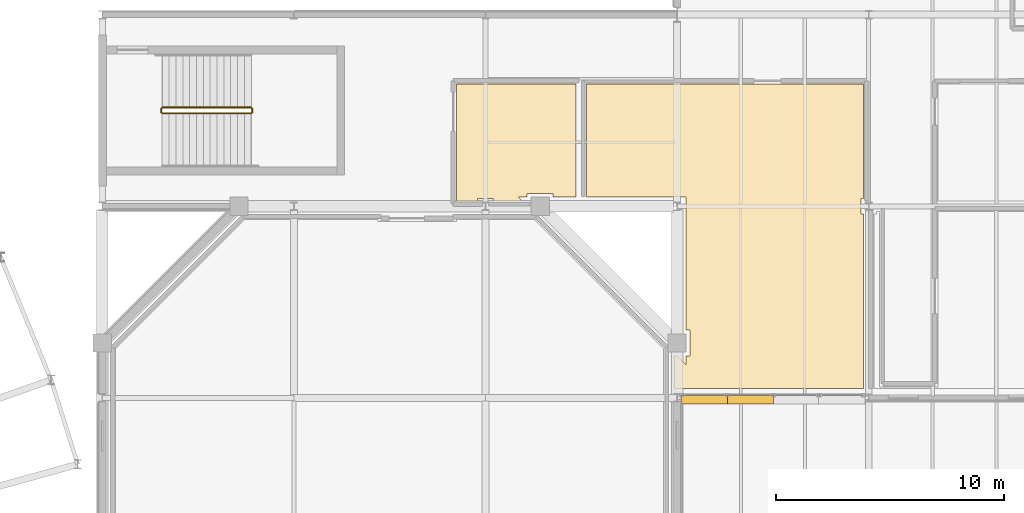
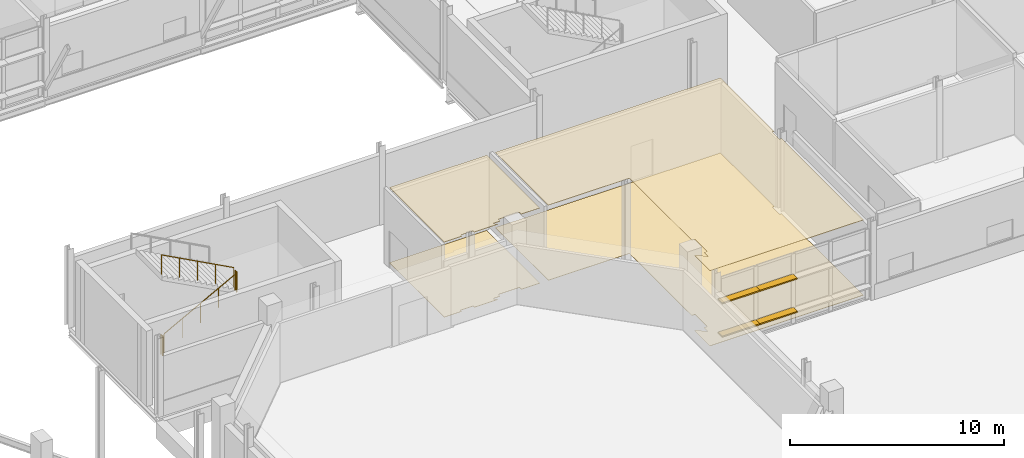
# One storey, part 108 of 129: 4 coverings, 4 railings, 4 shading devices.
"""IFC4 building model written with IfcOpenShell, lengths in metres."""

from ifc_helpers import new_model, si_unit, direction, frame, origin, origin_2d, place, context, subcontext, project, spatial, polyline, rectangle, circle, outline, extrude, material, layer, layer_set, type_object, element, save


model = new_model("IFC4")

# Units and contexts
model_context = context("Model", 3, precision=1e-05, world=origin(), true_north=direction((0.0, 1.0)))
body_context = subcontext(model_context, "Body", "Model", "MODEL_VIEW")
ifc_project = project(units=[si_unit("LENGTHUNIT", "METRE"), si_unit("AREAUNIT", "SQUARE_METRE"), si_unit("VOLUMEUNIT", "CUBIC_METRE"), si_unit("PLANEANGLEUNIT", "RADIAN"), si_unit("MASSUNIT", "GRAM", prefix="KILO")], contexts=[model_context])

# Site, building, storey
site_placement = place(None, origin())
site = spatial("IfcSite", under=ifc_project, at=site_placement, CompositionType="ELEMENT")
building_placement = place(site_placement, origin())
building = spatial("IfcBuilding", under=site, at=building_placement, Name="Mersafa Astral City Hall", CompositionType="ELEMENT")
storey_placement = place(building_placement, frame((0.0, 0.0, 5.39990234375)))
storey = spatial("IfcBuildingStorey", under=building, at=storey_placement, Name="L01", CompositionType="ELEMENT", Elevation=5.39990234375)

# Shading devices
ifc_material_1 = material(Name="Kiln-dried cedar timber brise-soleil blade", Category="wood")
shading_device_type = type_object("IfcShadingDeviceType", Name="ENV-SHD-LOUVRE-380", PredefinedType="JALOUSIE", material=ifc_material_1)
shading_device_1_placement = place(storey_placement, frame((93.58642578125, 16.719970703125, 0.81494140625), z_axis=(0.0, 0.0, 1.0), x_axis=(1.0, 0.0, 0.0)))
element("IfcShadingDevice", 1, at=shading_device_1_placement, inside=storey, type_object=shading_device_type, Name="L01 Horizontal cedar brise-soleil louvre 293", PredefinedType="JALOUSIE", context=body_context, shape_type="SweptSolid", body=[
    extrude(rectangle(XDim=2.029052734375, YDim=0.3798828125, at=origin_2d()), origin(), (0.0, 0.0, 1.0), 0.070068359375),
])
shading_device_2_placement = place(storey_placement, frame((95.590576171875, 16.719970703125, 0.81494140625), z_axis=(0.0, 0.0, 1.0), x_axis=(1.0, 0.0, 0.0)))
element("IfcShadingDevice", 2, at=shading_device_2_placement, inside=storey, type_object=shading_device_type, Name="L01 Horizontal cedar brise-soleil louvre 294", PredefinedType="JALOUSIE", context=body_context, shape_type="SweptSolid", body=[
    extrude(rectangle(XDim=2.05908203125, YDim=0.3798828125, at=origin_2d()), origin(), (0.0, 0.0, 1.0), 0.070068359375),
])
shading_device_3_placement = place(storey_placement, frame((93.58642578125, 16.719970703125, 2.71484375), z_axis=(0.0, 0.0, 1.0), x_axis=(1.0, 0.0, 0.0)))
element("IfcShadingDevice", 3, at=shading_device_3_placement, inside=storey, type_object=shading_device_type, Name="L01 Horizontal cedar brise-soleil louvre 297", PredefinedType="JALOUSIE", context=body_context, shape_type="SweptSolid", body=[
    extrude(rectangle(XDim=2.029052734375, YDim=0.3798828125, at=origin_2d()), origin(), (0.0, 0.0, 1.0), 0.070068359375),
])
shading_device_4_placement = place(storey_placement, frame((95.590576171875, 16.719970703125, 2.71484375), z_axis=(0.0, 0.0, 1.0), x_axis=(1.0, 0.0, 0.0)))
element("IfcShadingDevice", 4, at=shading_device_4_placement, inside=storey, type_object=shading_device_type, Name="L01 Horizontal cedar brise-soleil louvre 298", PredefinedType="JALOUSIE", context=body_context, shape_type="SweptSolid", body=[
    extrude(rectangle(XDim=2.05908203125, YDim=0.3798828125, at=origin_2d()), origin(), (0.0, 0.0, 1.0), 0.070068359375),
])

# Railings
ifc_material_2 = material(Name="Painted architectural steel stair guard balustrade", Category="steel")
railing_type = type_object("IfcRailingType", Name="GUARD-RAIL", PredefinedType="BALUSTRADE", material=ifc_material_2)
railing_1_placement = place(storey_placement, frame((69.830078125, 29.27001953125, 0.160888671875)))
element("IfcRailing", 5, at=railing_1_placement, inside=storey, type_object=railing_type, Name="L01 ST7 stair guard 1", PredefinedType="BALUSTRADE", context=body_context, shape_type="SweptSolid", body=[
    extrude(circle(Radius=0.02392578125, at=origin_2d()), frame((0.0, 0.0, 1.09619140625), z_axis=(0.881491454809, 0.0, 0.472199973632), x_axis=(0.0, 1.0, 0.0)), (0.0, 0.0, 1.0), 4.42431640625),
    extrude(circle(Radius=0.02099609375, at=origin_2d()), origin(), (0.0, 0.0, 1.0), 1.072021484375),
    extrude(circle(Radius=0.02099609375, at=origin_2d()), frame((0.97509765625, 0.0, 0.522216796875)), (0.0, 0.0, 1.0), 1.072021484375),
    extrude(circle(Radius=0.02099609375, at=origin_2d()), frame((1.949951171875, 0.0, 1.04443359375)), (0.0, 0.0, 1.0), 1.072021484375),
    extrude(circle(Radius=0.02099609375, at=origin_2d()), frame((2.9248046875, 0.0, 1.56689453125)), (0.0, 0.0, 1.0), 1.072021484375),
    extrude(circle(Radius=0.02099609375, at=origin_2d()), frame((3.89990234375, 0.0, 2.089111328125)), (0.0, 0.0, 1.0), 1.072021484375),
])
railing_2_placement = place(storey_placement, frame((73.780029296875, 29.320068359375, 2.25)))
element("IfcRailing", 6, at=railing_2_placement, inside=storey, type_object=railing_type, Name="L01 ST7 stair guard 2", PredefinedType="BALUSTRADE", context=body_context, shape_type="SweptSolid", body=[
    extrude(circle(Radius=0.02392578125, at=origin_2d()), frame((0.0, 0.0, 1.09619140625), z_axis=(0.0, 1.0, 0.0), x_axis=(-1.0, 0.0, 0.0)), (0.0, 0.0, 1.0), 0.159912109375),
    extrude(circle(Radius=0.02099609375, at=origin_2d()), origin(), (0.0, 0.0, 1.0), 1.072021484375),
    extrude(circle(Radius=0.02099609375, at=origin_2d()), frame((0.0, 0.159912109375, 0.0)), (0.0, 0.0, 1.0), 1.072021484375),
])
railing_3_placement = place(storey_placement, frame((73.72998046875, 29.530029296875, 2.410888671875)))
element("IfcRailing", 7, at=railing_3_placement, inside=storey, type_object=railing_type, Name="L01 ST7 stair guard 3", PredefinedType="BALUSTRADE", context=body_context, shape_type="SweptSolid", body=[
    extrude(circle(Radius=0.02392578125, at=origin_2d()), frame((0.0, 0.0, 1.09619140625), z_axis=(-0.881491454809, 0.0, 0.472199973632), x_axis=(0.0, -1.0, 0.0)), (0.0, 0.0, 1.0), 4.42431640625),
    extrude(circle(Radius=0.02099609375, at=origin_2d()), origin(), (0.0, 0.0, 1.0), 1.072021484375),
    extrude(circle(Radius=0.02099609375, at=origin_2d()), frame((-0.97509765625, 0.0, 0.522216796875)), (0.0, 0.0, 1.0), 1.072021484375),
    extrude(circle(Radius=0.02099609375, at=origin_2d()), frame((-1.949951171875, 0.0, 1.04443359375)), (0.0, 0.0, 1.0), 1.072021484375),
    extrude(circle(Radius=0.02099609375, at=origin_2d()), frame((-2.9248046875, 0.0, 1.56689453125)), (0.0, 0.0, 1.0), 1.072021484375),
    extrude(circle(Radius=0.02099609375, at=origin_2d()), frame((-3.89990234375, 0.0, 2.089111328125)), (0.0, 0.0, 1.0), 1.072021484375),
])
railing_4_placement = place(storey_placement, frame((69.780029296875, 29.320068359375, 0.0)))
element("IfcRailing", 8, at=railing_4_placement, inside=storey, type_object=railing_type, Name="L01 ST7 stair guard 4", PredefinedType="BALUSTRADE", context=body_context, shape_type="SweptSolid", body=[
    extrude(circle(Radius=0.02392578125, at=origin_2d()), frame((0.0, 0.0, 1.09619140625), z_axis=(0.0, 1.0, 0.0), x_axis=(-1.0, 0.0, 0.0)), (0.0, 0.0, 1.0), 0.159912109375),
    extrude(circle(Radius=0.02099609375, at=origin_2d()), origin(), (0.0, 0.0, 1.0), 1.072021484375),
    extrude(circle(Radius=0.02099609375, at=origin_2d()), frame((0.0, 0.159912109375, 0.0)), (0.0, 0.0, 1.0), 1.072021484375),
])

# Coverings
ifc_material_3 = material(Name="Perforated acoustic gypsum board ceiling", Category="gypsum")
ifc_layer_1 = layer(ifc_material_3, 0.02490234375, Name="Perforated acoustic gypsum board ceiling")
ifc_layer_set_1 = layer_set([ifc_layer_1], Name="Perforated acoustic gypsum board ceiling — INT-COV-CEIL-25")
covering_type_1 = type_object("IfcCoveringType", Name="INT-COV-CEIL-25", PredefinedType="CEILING", material=ifc_layer_set_1)
covering_1_placement = place(storey_placement, frame((0.0, 0.0, 4.281005859375)))
element("IfcCovering", 9, at=covering_1_placement, inside=storey, type_object=covering_type_1, Name="L01 Civic Translation & Hansard Studio L01-16 acoustic ceiling", PredefinedType="CEILING", context=body_context, shape_type="SweptSolid", body=[
    extrude(outline(polyline([(92.969970703125, 18.6298828125), (92.969970703125, 19.77001953125), (92.800048828125, 19.77001953125), (92.800048828125, 25.60009765625), (88.429931640625, 25.60009765625), (88.429931640625, 30.56005859375), (100.570068359375, 30.56005859375), (100.570068359375, 25.5400390625), (100.4599609375, 25.5400390625), (100.4599609375, 24.860107421875), (100.570068359375, 24.860107421875), (100.570068359375, 17.199951171875), (92.2900390625, 17.199951171875), (92.2900390625, 18.6298828125), (92.404296875, 18.6298828125), (92.800048828125, 18.234375), (92.800048828125, 18.6298828125), (92.969970703125, 18.6298828125)])), origin(), (0.0, 0.0, 1.0), 0.025146484375),
])
covering_2_placement = place(storey_placement, frame((0.0, 0.0, 4.281005859375)))
element("IfcCovering", 10, at=covering_2_placement, inside=storey, type_object=covering_type_1, Name="L01 Citizens Service Centre L01-29 acoustic ceiling", PredefinedType="CEILING", context=body_context, shape_type="SweptSolid", body=[
    extrude(outline(polyline([(82.719970703125, 25.429931640625), (82.719970703125, 30.56005859375), (87.969970703125, 30.56005859375), (87.969970703125, 25.60009765625), (86.969970703125, 25.60009765625), (86.969970703125, 25.77001953125), (85.830078125, 25.77001953125), (85.830078125, 25.60009765625), (85.434326171875, 25.60009765625), (85.604248046875, 25.429931640625), (84.340087890625, 25.429931640625), (84.340087890625, 25.5400390625), (83.659912109375, 25.5400390625), (83.659912109375, 25.429931640625), (82.719970703125, 25.429931640625)])), origin(), (0.0, 0.0, 1.0), 0.025146484375),
])
ifc_material_4 = material(Name="Honed Cairo limestone terrazzo flooring", Category="masonry")
ifc_layer_2 = layer(ifc_material_4, 0.02001953125, Name="Honed Cairo limestone terrazzo flooring")
ifc_layer_set_2 = layer_set([ifc_layer_2], Name="Honed Cairo limestone terrazzo flooring — INT-COV-FLR-20")
covering_type_2 = type_object("IfcCoveringType", Name="INT-COV-FLR-20", PredefinedType="FLOORING", material=ifc_layer_set_2)
covering_3_placement = place(storey_placement, frame((0.0, 0.0, -0.00146484375)))
element("IfcCovering", 11, at=covering_3_placement, inside=storey, type_object=covering_type_2, Name="L01 Civic Translation & Hansard Studio L01-16 architectural flooring", PredefinedType="FLOORING", context=body_context, shape_type="SweptSolid", body=[
    extrude(outline(polyline([(92.969970703125, 18.6298828125), (92.969970703125, 19.77001953125), (92.800048828125, 19.77001953125), (92.800048828125, 25.60009765625), (88.429931640625, 25.60009765625), (88.429931640625, 30.56005859375), (100.570068359375, 30.56005859375), (100.570068359375, 25.5400390625), (100.4599609375, 25.5400390625), (100.4599609375, 24.860107421875), (100.570068359375, 24.860107421875), (100.570068359375, 17.199951171875), (92.2900390625, 17.199951171875), (92.2900390625, 18.6298828125), (92.404296875, 18.6298828125), (92.800048828125, 18.234375), (92.800048828125, 18.6298828125), (92.969970703125, 18.6298828125)])), origin(), (0.0, 0.0, 1.0), 0.02001953125),
])
covering_4_placement = place(storey_placement, frame((0.0, 0.0, -0.00146484375)))
element("IfcCovering", 12, at=covering_4_placement, inside=storey, type_object=covering_type_2, Name="L01 Citizens Service Centre L01-29 architectural flooring", PredefinedType="FLOORING", context=body_context, shape_type="SweptSolid", body=[
    extrude(outline(polyline([(82.719970703125, 25.429931640625), (82.719970703125, 30.56005859375), (87.969970703125, 30.56005859375), (87.969970703125, 25.60009765625), (86.969970703125, 25.60009765625), (86.969970703125, 25.77001953125), (85.830078125, 25.77001953125), (85.830078125, 25.60009765625), (85.434326171875, 25.60009765625), (85.604248046875, 25.429931640625), (84.340087890625, 25.429931640625), (84.340087890625, 25.5400390625), (83.659912109375, 25.5400390625), (83.659912109375, 25.429931640625), (82.719970703125, 25.429931640625)])), origin(), (0.0, 0.0, 1.0), 0.02001953125),
])

save(model, "model.ifc")
